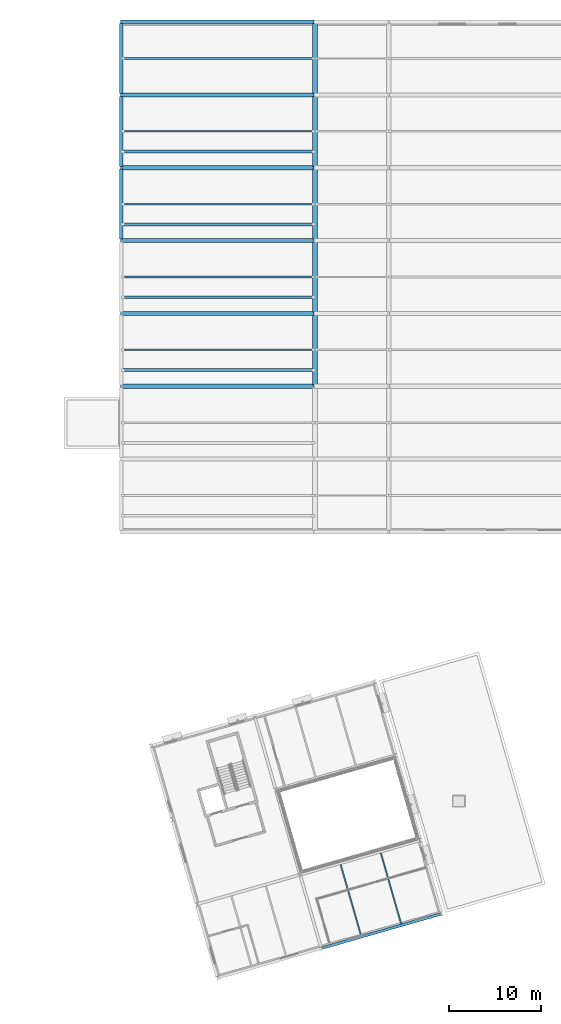
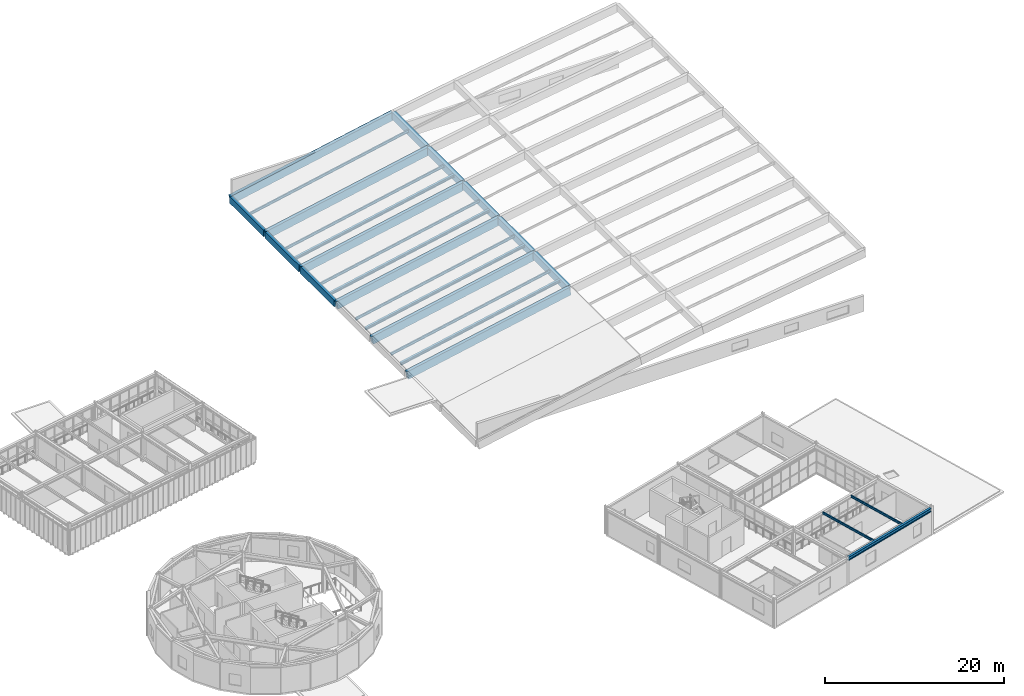
# One storey, part 18 of 44: 17 beams, 9 members.
"""IFC4 building model written with IfcOpenShell, lengths in metres."""

from ifc_helpers import new_model, si_unit, direction, frame, origin, origin_2d, place, context, subcontext, project, spatial, rectangle, i_section, extrude, material, material_profile, profile_set, type_object, element, save


model = new_model("IFC4")

# Units and contexts
model_context = context("Model", 3, precision=1e-05, world=origin(), true_north=direction((0.0, 1.0)))
body_context = subcontext(model_context, "Body", "Model", "MODEL_VIEW")
ifc_project = project(units=[si_unit("LENGTHUNIT", "METRE"), si_unit("AREAUNIT", "SQUARE_METRE"), si_unit("VOLUMEUNIT", "CUBIC_METRE"), si_unit("PLANEANGLEUNIT", "RADIAN"), si_unit("MASSUNIT", "GRAM", prefix="KILO")], contexts=[model_context])

# Site, building, storey
site_placement = place(None, origin())
site = spatial("IfcSite", under=ifc_project, at=site_placement, CompositionType="ELEMENT")
building_placement = place(site_placement, origin())
building = spatial("IfcBuilding", under=site, at=building_placement, Name="Varnklinge Art Gallery", CompositionType="ELEMENT")
storey_placement = place(building_placement, frame((0.0, 0.0, 13.679931640625)))
storey = spatial("IfcBuildingStorey", under=building, at=storey_placement, Name="L03", CompositionType="ELEMENT", Elevation=13.679931640625)

# Beam
ifc_material_1 = material(Name="Steel S355", Category="steel")
ifc_material_profile_1 = material_profile(ifc_material_1, i_section(OverallWidth=0.300048828125, OverallDepth=0.489990234375, WebThickness=0.011962890625, FlangeThickness=0.02294921875, FilletRadius=0.027099609375, at=origin_2d()), Name="HEA 500")
ifc_profile_set_1 = profile_set([ifc_material_profile_1], Name="Steel S355")
beam_type_1 = type_object("IfcBeamType", Name="BM-07", PredefinedType="BEAM", material=ifc_profile_set_1)
beam_1_placement = place(storey_placement, frame((136.208984375, 13.07177734375, 3.47509765625), z_axis=(0.961262060229, 0.275636085381, 0.0), x_axis=(-0.275636085381, 0.961262060229, 0.0)))
element("IfcBeam", 1, at=beam_1_placement, inside=storey, type_object=beam_type_1, Name="L03 BM-07 BM-V6-L04-U0-1", PredefinedType="BEAM", context=body_context, shape_type="SweptSolid", body=[
    extrude(i_section(OverallWidth=0.300048828125, OverallDepth=0.489990234375, WebThickness=0.011962890625, FlangeThickness=0.02294921875, FilletRadius=0.027099609375, at=origin_2d()), origin(), (0.0, 0.0, 1.0), 13.319580078125),
])

# Members
ifc_material_2 = material(Name="Steel S355", Category="steel")
ifc_material_profile_2 = material_profile(ifc_material_2, i_section(OverallWidth=0.300048828125, OverallDepth=0.360107421875, WebThickness=0.012451171875, FlangeThickness=0.0224609375, FilletRadius=0.027099609375, at=origin_2d()), Name="HEB 360")
ifc_profile_set_2 = profile_set([ifc_material_profile_2], Name="Steel S355")
member_type_1 = type_object("IfcMemberType", Name="CHD-01", PredefinedType="CHORD", material=ifc_profile_set_2)
for number, where, z_axis, x_axis, name in (
    (2, (114.580078125, 75.75, -0.33984375), (0.979918048389, 0.0, 0.199400648046), (0.0, 1.0, 0.0), "L03 Shell Monitor Bracing Chord 3"),
    (3, (114.580078125, 83.64990234375, -0.33984375), (0.979918048389, 0.0, 0.199400648046), (0.0, 1.0, 0.0), "L03 Shell Monitor Bracing Chord 4"),
    (4, (114.580078125, 91.550048828125, -0.33984375), (0.979918048389, 0.0, 0.199400648046), (0.0, 1.0, 0.0), "L03 Shell Monitor Bracing Chord 5"),
    (5, (114.580078125, 99.449951171875, -0.33984375), (0.979918048389, 0.0, 0.199400648046), (0.0, 1.0, 0.0), "L03 Shell Monitor Bracing Chord 6"),
):
    element("IfcMember", number, at=place(storey_placement, frame(where, z_axis=z_axis, x_axis=x_axis)), inside=storey, type_object=member_type_1, Name=name, PredefinedType="CHORD", context=body_context, shape_type="SweptSolid", body=[
        extrude(i_section(OverallWidth=0.300048828125, OverallDepth=0.360107421875, WebThickness=0.012451171875, FlangeThickness=0.0224609375, FilletRadius=0.027099609375, at=origin_2d()), origin(), (0.0, 0.0, 1.0), 21.06298828125),
    ])

# Beams
ifc_material_3 = material(Name="Steel S355", Category="steel")
ifc_material_profile_3 = material_profile(ifc_material_3, i_section(OverallWidth=0.14990234375, OverallDepth=0.300048828125, WebThickness=0.007080078125, FlangeThickness=0.0107421875, FilletRadius=0.014892578125, at=origin_2d()), Name="IPE 300")
ifc_profile_set_3 = profile_set([ifc_material_profile_3], Name="Steel S355")
beam_type_2 = type_object("IfcBeamType", Name="JST-08", PredefinedType="JOIST", material=ifc_profile_set_3)
beam_2_placement = place(storey_placement, frame((140.393310546875, 14.417236328125, 3.570068359375), z_axis=(-0.275613565062, 0.961268517509, 0.0), x_axis=(-0.961268517509, -0.275613565062, 0.0)))
element("IfcBeam", 6, at=beam_2_placement, inside=storey, type_object=beam_type_2, Name="L03 JST-08 JST-V6-L04-1-0-1", PredefinedType="JOIST", context=body_context, shape_type="SweptSolid", body=[
    extrude(i_section(OverallWidth=0.14990234375, OverallDepth=0.300048828125, WebThickness=0.007080078125, FlangeThickness=0.0107421875, FilletRadius=0.014892578125, at=origin_2d()), origin(), (0.0, 0.0, 1.0), 8.02001953125),
])
beam_3_placement = place(storey_placement, frame((144.751220703125, 15.666748046875, 3.570068359375), z_axis=(-0.2756416934, 0.961260452146, 0.0), x_axis=(-0.961260452146, -0.2756416934, 0.0)))
element("IfcBeam", 7, at=beam_3_placement, inside=storey, type_object=beam_type_2, Name="L03 JST-08 JST-V6-L04-1-0-2", PredefinedType="JOIST", context=body_context, shape_type="SweptSolid", body=[
    extrude(i_section(OverallWidth=0.14990234375, OverallDepth=0.300048828125, WebThickness=0.007080078125, FlangeThickness=0.0107421875, FilletRadius=0.014892578125, at=origin_2d()), origin(), (0.0, 0.0, 1.0), 8.020263671875),
])

# Members
ifc_material_4 = material(Name="Steel S355", Category="steel")
ifc_material_profile_4 = material_profile(ifc_material_4, i_section(OverallWidth=0.169921875, OverallDepth=0.360107421875, WebThickness=0.008056640625, FlangeThickness=0.0126953125, FilletRadius=0.01806640625, at=origin_2d()), Name="IPE 360")
ifc_profile_set_4 = profile_set([ifc_material_profile_4], Name="Steel S355")
member_type_2 = type_object("IfcMemberType", Name="RFT-01", PredefinedType="RAFTER", material=ifc_profile_set_4)
for number, where, z_axis, x_axis, name in (
    (8, (114.580078125, 77.949951171875, -0.369873046875), (0.979918048389, 0.0, 0.199400648046), (0.0, 1.0, 0.0), "Shell Vault Rafter 3.1"),
    (9, (114.580078125, 85.85009765625, -0.369873046875), (0.979918048389, 0.0, 0.199400648046), (0.0, 1.0, 0.0), "Shell Vault Rafter 4.1"),
    (10, (114.580078125, 93.75, -0.369873046875), (0.979918048389, 0.0, 0.199400648046), (0.0, 1.0, 0.0), "Shell Vault Rafter 5.1"),
    (11, (114.580078125, 101.64990234375, -0.369873046875), (0.979918048389, 0.0, 0.199400648046), (0.0, 1.0, 0.0), "Shell Vault Rafter 6.1"),
    (12, (114.580078125, 109.550048828125, -0.369873046875), (0.979918048389, 0.0, 0.199400648046), (0.0, 1.0, 0.0), "Shell Vault Rafter 7.1"),
):
    element("IfcMember", number, at=place(storey_placement, frame(where, z_axis=z_axis, x_axis=x_axis)), inside=storey, type_object=member_type_2, Name=name, PredefinedType="RAFTER", context=body_context, shape_type="SweptSolid", body=[
        extrude(i_section(OverallWidth=0.169921875, OverallDepth=0.360107421875, WebThickness=0.008056640625, FlangeThickness=0.0126953125, FilletRadius=0.01806640625, at=origin_2d()), origin(), (0.0, 0.0, 1.0), 21.06298828125),
    ])

# Beams
ifc_material_5 = material(Name="Concrete C45/55", Category="concrete")
ifc_material_profile_5 = material_profile(ifc_material_5, rectangle(XDim=0.449951171875, YDim=1.10009765625, at=origin_2d()), Name="RC 450x1100")
ifc_profile_set_5 = profile_set([ifc_material_profile_5], Name="Concrete C45/55")
beam_type_3 = type_object("IfcBeamType", Name="SHB-01", PredefinedType="BEAM", material=ifc_profile_set_5)
for number, where, z_axis, x_axis, name in (
    (13, (114.39990234375, 74.0, -0.7099609375), (0.980581114149, 0.0, 0.196113942833), (0.0, 1.0, 0.0), "Shell Vault Edge Beam Rib 3.1"),
    (14, (114.39990234375, 81.89990234375, -0.7099609375), (0.980581114149, 0.0, 0.196113942833), (0.0, 1.0, 0.0), "Shell Vault Edge Beam Rib 4.1"),
    (15, (114.39990234375, 89.800048828125, -0.7099609375), (0.980581114149, 0.0, 0.196113942833), (0.0, 1.0, 0.0), "Shell Vault Edge Beam Rib 5.1"),
    (16, (114.39990234375, 97.699951171875, -0.7099609375), (0.980581114149, 0.0, 0.196113942833), (0.0, 1.0, 0.0), "Shell Vault Edge Beam Rib 6.1"),
    (17, (114.39990234375, 105.60009765625, -0.7099609375), (0.980581114149, 0.0, 0.196113942833), (0.0, 1.0, 0.0), "Shell Vault Edge Beam Rib 7.1"),
    (18, (114.39990234375, 113.5, -0.7099609375), (0.980581114149, 0.0, 0.196113942833), (0.0, 1.0, 0.0), "Shell Vault Edge Beam Rib 8.1"),
):
    element("IfcBeam", number, at=place(storey_placement, frame(where, z_axis=z_axis, x_axis=x_axis)), inside=storey, type_object=beam_type_3, Name=name, PredefinedType="BEAM", context=body_context, shape_type="SweptSolid", body=[
        extrude(rectangle(XDim=0.449951171875, YDim=1.10009765625, at=origin_2d()), origin(), (0.0, 0.0, 1.0), 21.415771484375),
    ])
ifc_material_6 = material(Name="Concrete C45/55", Category="concrete")
ifc_material_profile_6 = material_profile(ifc_material_6, rectangle(XDim=0.39990234375, YDim=0.89990234375, at=origin_2d()), Name="RC 400x900")
ifc_profile_set_6 = profile_set([ifc_material_profile_6], Name="Concrete C45/55")
beam_type_4 = type_object("IfcBeamType", Name="SHB-02", PredefinedType="BEAM", material=ifc_profile_set_6)
beam_4_placement = place(storey_placement, frame((114.39990234375, 89.949951171875, -0.60986328125), z_axis=(0.0, 1.0, 0.0), x_axis=(-1.0, 0.0, 0.0)))
element("IfcBeam", 19, at=beam_4_placement, inside=storey, type_object=beam_type_4, Name="Shell Vault Longitudinal Beam 1.5", PredefinedType="BEAM", context=body_context, shape_type="SweptSolid", body=[
    extrude(rectangle(XDim=0.39990234375, YDim=0.89990234375, at=origin_2d()), origin(), (0.0, 0.0, 1.0), 7.60009765625),
])
beam_5_placement = place(storey_placement, frame((114.39990234375, 97.85009765625, -0.60986328125), z_axis=(0.0, 1.0, 0.0), x_axis=(-1.0, 0.0, 0.0)))
element("IfcBeam", 20, at=beam_5_placement, inside=storey, type_object=beam_type_4, Name="Shell Vault Longitudinal Beam 1.6", PredefinedType="BEAM", context=body_context, shape_type="SweptSolid", body=[
    extrude(rectangle(XDim=0.39990234375, YDim=0.89990234375, at=origin_2d()), origin(), (0.0, 0.0, 1.0), 7.599853515625),
])
beam_6_placement = place(storey_placement, frame((114.39990234375, 105.75, -0.60986328125), z_axis=(0.0, 1.0, 0.0), x_axis=(-1.0, 0.0, 0.0)))
element("IfcBeam", 21, at=beam_6_placement, inside=storey, type_object=beam_type_4, Name="Shell Vault Longitudinal Beam 1.7", PredefinedType="BEAM", context=body_context, shape_type="SweptSolid", body=[
    extrude(rectangle(XDim=0.39990234375, YDim=0.89990234375, at=origin_2d()), origin(), (0.0, 0.0, 1.0), 7.60009765625),
])
ifc_material_7 = material(Name="Concrete C45/55", Category="concrete")
ifc_material_profile_7 = material_profile(ifc_material_7, rectangle(XDim=0.5, YDim=0.949951171875, at=origin_2d()), Name="RC 500x950")
ifc_profile_set_7 = profile_set([ifc_material_profile_7], Name="Concrete C45/55")
beam_type_5 = type_object("IfcBeamType", Name="SHB-03", PredefinedType="T_BEAM", material=ifc_profile_set_7)
beam_7_placement = place(storey_placement, frame((135.39990234375, 74.14990234375, 3.565185546875), z_axis=(0.0, 1.0, 0.0), x_axis=(-1.0, 0.0, 0.0)))
element("IfcBeam", 22, at=beam_7_placement, inside=storey, type_object=beam_type_5, Name="Shell Vault Longitudinal Beam 2.3", PredefinedType="T_BEAM", context=body_context, shape_type="SweptSolid", body=[
    extrude(rectangle(XDim=0.5, YDim=0.949951171875, at=origin_2d()), origin(), (0.0, 0.0, 1.0), 7.60009765625),
])
beam_8_placement = place(storey_placement, frame((135.39990234375, 82.050048828125, 3.565185546875), z_axis=(0.0, 1.0, 0.0), x_axis=(-1.0, 0.0, 0.0)))
element("IfcBeam", 23, at=beam_8_placement, inside=storey, type_object=beam_type_5, Name="Shell Vault Longitudinal Beam 2.4", PredefinedType="T_BEAM", context=body_context, shape_type="SweptSolid", body=[
    extrude(rectangle(XDim=0.5, YDim=0.949951171875, at=origin_2d()), origin(), (0.0, 0.0, 1.0), 7.599853515625),
])
beam_9_placement = place(storey_placement, frame((135.39990234375, 89.949951171875, 3.565185546875), z_axis=(0.0, 1.0, 0.0), x_axis=(-1.0, 0.0, 0.0)))
element("IfcBeam", 24, at=beam_9_placement, inside=storey, type_object=beam_type_5, Name="Shell Vault Longitudinal Beam 2.5", PredefinedType="T_BEAM", context=body_context, shape_type="SweptSolid", body=[
    extrude(rectangle(XDim=0.5, YDim=0.949951171875, at=origin_2d()), origin(), (0.0, 0.0, 1.0), 7.60009765625),
])
beam_10_placement = place(storey_placement, frame((135.39990234375, 97.85009765625, 3.565185546875), z_axis=(0.0, 1.0, 0.0), x_axis=(-1.0, 0.0, 0.0)))
element("IfcBeam", 25, at=beam_10_placement, inside=storey, type_object=beam_type_5, Name="Shell Vault Longitudinal Beam 2.6", PredefinedType="T_BEAM", context=body_context, shape_type="SweptSolid", body=[
    extrude(rectangle(XDim=0.5, YDim=0.949951171875, at=origin_2d()), origin(), (0.0, 0.0, 1.0), 7.599853515625),
])
beam_11_placement = place(storey_placement, frame((135.39990234375, 105.75, 3.565185546875), z_axis=(0.0, 1.0, 0.0), x_axis=(-1.0, 0.0, 0.0)))
element("IfcBeam", 26, at=beam_11_placement, inside=storey, type_object=beam_type_5, Name="Shell Vault Longitudinal Beam 2.7", PredefinedType="T_BEAM", context=body_context, shape_type="SweptSolid", body=[
    extrude(rectangle(XDim=0.5, YDim=0.949951171875, at=origin_2d()), origin(), (0.0, 0.0, 1.0), 7.60009765625),
])

save(model, "model.ifc")
